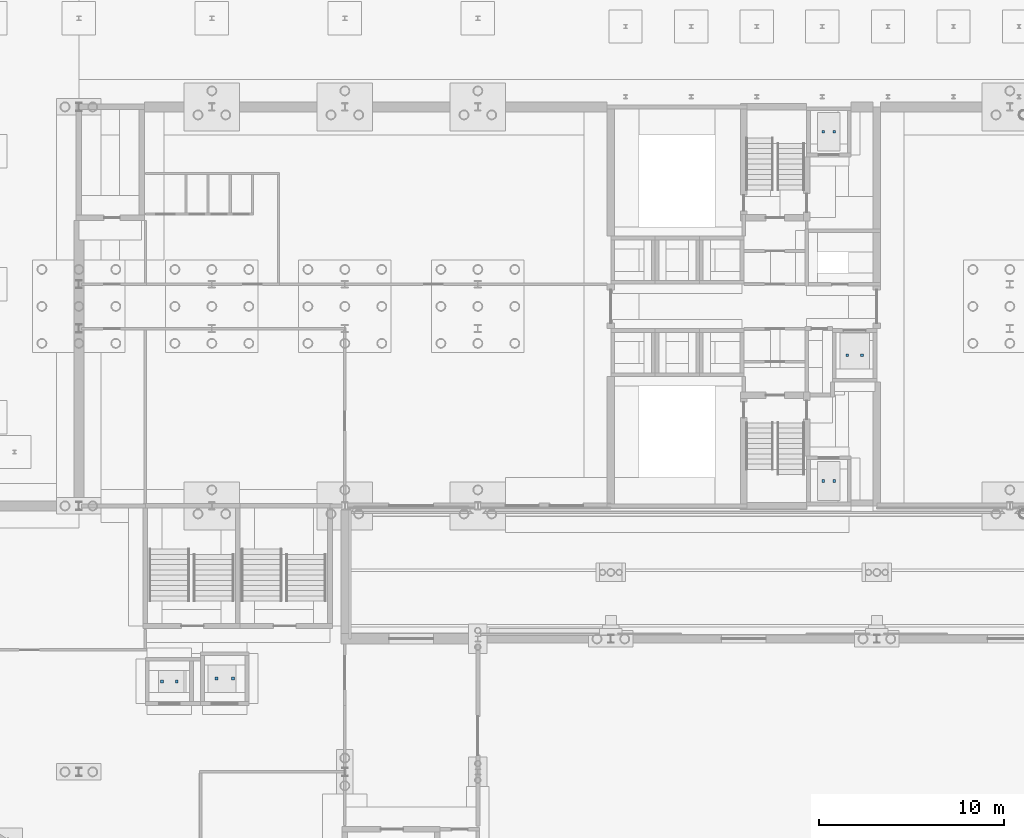
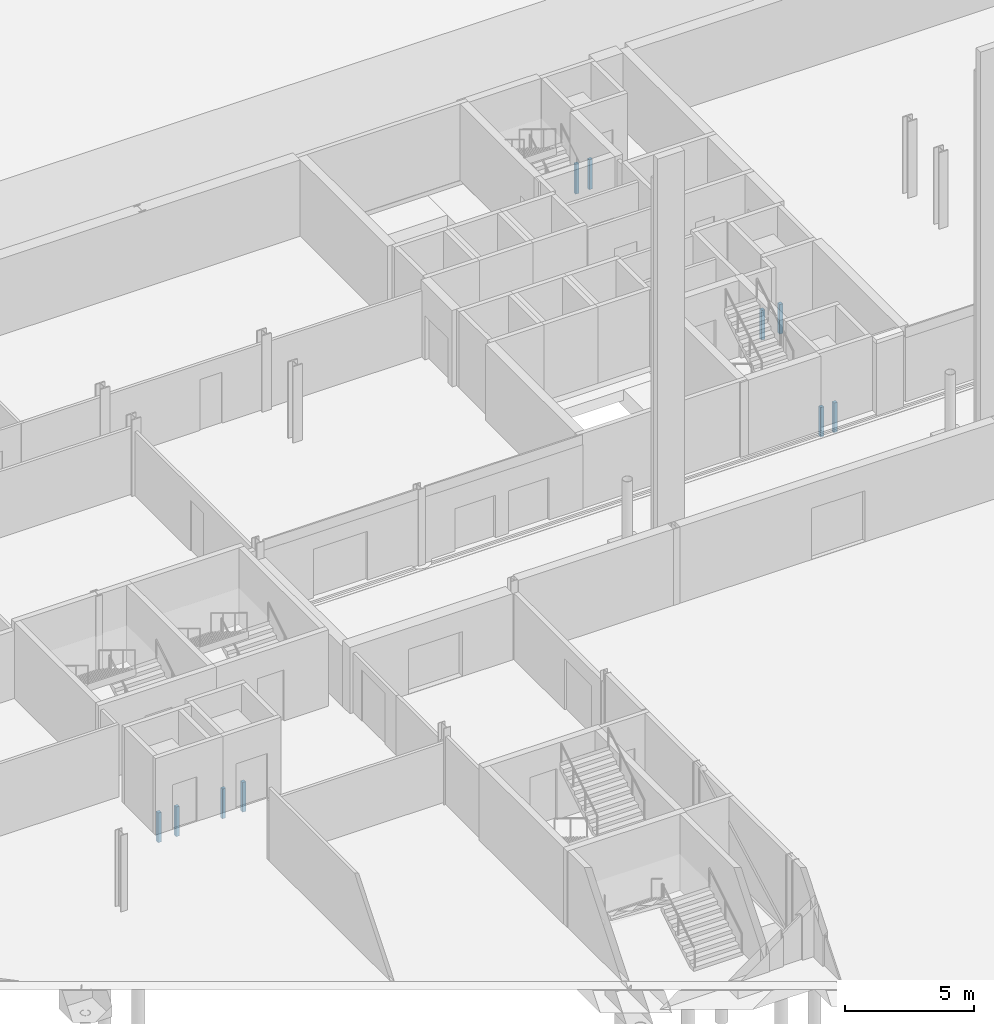
# One storey, part 113 of 148: 10 discrete accessories.
"""IFC4 building model written with IfcOpenShell, lengths in metres."""

from ifc_helpers import new_model, si_unit, direction, frame, origin, origin_2d, place, context, subcontext, project, spatial, rectangle, extrude, material, layer, layer_set, type_object, element, save


model = new_model("IFC4")

# Units and contexts
model_context = context("Model", 3, precision=1e-05, world=origin(), true_north=direction((0.0, 1.0)))
body_context = subcontext(model_context, "Body", "Model", "MODEL_VIEW")
ifc_project = project(units=[si_unit("LENGTHUNIT", "METRE"), si_unit("AREAUNIT", "SQUARE_METRE"), si_unit("VOLUMEUNIT", "CUBIC_METRE"), si_unit("PLANEANGLEUNIT", "RADIAN"), si_unit("MASSUNIT", "GRAM", prefix="KILO")], contexts=[model_context])

# Site, building, storey
site_placement = place(None, origin())
site = spatial("IfcSite", under=ifc_project, at=site_placement, CompositionType="ELEMENT")
building_placement = place(site_placement, origin())
building = spatial("IfcBuilding", under=site, at=building_placement, Name="Kupolbacken Congress Centre", CompositionType="ELEMENT")
storey_placement = place(building_placement, origin())
storey = spatial("IfcBuildingStorey", under=building, at=storey_placement, Name="L00", CompositionType="ELEMENT", Elevation=0.0)

# Discrete accessories
ifc_material = material(Name="Steel S355", Category="steel")
ifc_layer = layer(ifc_material, 0.011962890625)
ifc_layer_set = layer_set([ifc_layer], Name="Steel S355")
discrete_accessory_type = type_object("IfcDiscreteAccessoryType", Name="BK1 bracket 150 x 150 x 12", PredefinedType="BRACKET", material=ifc_layer_set)
for number, where, z_axis, x_axis, name in (
    (1, (69.300048828125, 112.89990234375, -1.39990234375), (0.0, 0.0, 1.0), (1.0, 0.0, 0.0), "Lift car buffer post LP8"),
    (2, (70.10009765625, 112.89990234375, -1.39990234375), (0.0, 0.0, 1.0), (1.0, 0.0, 0.0), "Lift car buffer post LP8"),
    (3, (72.25, 113.050048828125, -1.39990234375), (0.0, 0.0, 1.0), (1.0, 0.0, 0.0), "Lift car buffer post LG2"),
    (4, (73.14990234375, 113.050048828125, -1.39990234375), (0.0, 0.0, 1.0), (1.0, 0.0, 0.0), "Lift car buffer post LG2"),
    (5, (105.10009765625, 123.75, -1.39990234375), (0.0, 0.0, 1.0), (1.0, 0.0, 0.0), "Lift car buffer post LF1"),
    (6, (105.699951171875, 123.75, -1.39990234375), (0.0, 0.0, 1.0), (1.0, 0.0, 0.0), "Lift car buffer post LF1"),
    (7, (105.10009765625, 142.64990234375, -1.39990234375), (0.0, 0.0, 1.0), (1.0, 0.0, 0.0), "Lift car buffer post LF2"),
    (8, (105.699951171875, 142.64990234375, -1.39990234375), (0.0, 0.0, 1.0), (1.0, 0.0, 0.0), "Lift car buffer post LF2"),
    (9, (106.39990234375, 130.550048828125, -1.39990234375), (0.0, 0.0, 1.0), (1.0, 0.0, 0.0), "Lift car buffer post LV1"),
    (10, (107.199951171875, 130.550048828125, -1.39990234375), (0.0, 0.0, 1.0), (1.0, 0.0, 0.0), "Lift car buffer post LV1"),
):
    element("IfcDiscreteAccessory", number, at=place(storey_placement, frame(where, z_axis=z_axis, x_axis=x_axis)), inside=storey, type_object=discrete_accessory_type, Name=name, PredefinedType="BRACKET", context=body_context, shape_type="SweptSolid", body=[
        extrude(rectangle(XDim=0.14990234375, YDim=0.14990234375, at=origin_2d()), origin(), (0.0, 0.0, 1.0), 1.39990234375),
    ])

save(model, "model.ifc")
